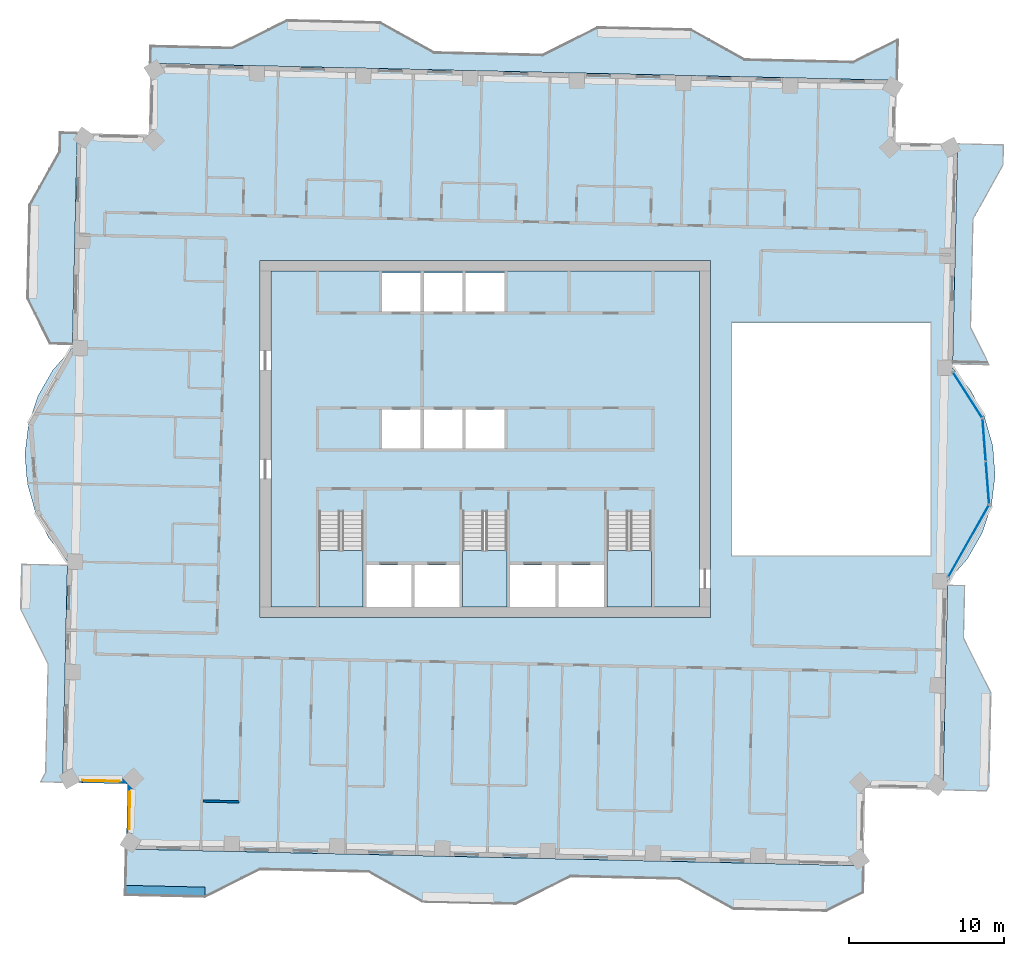
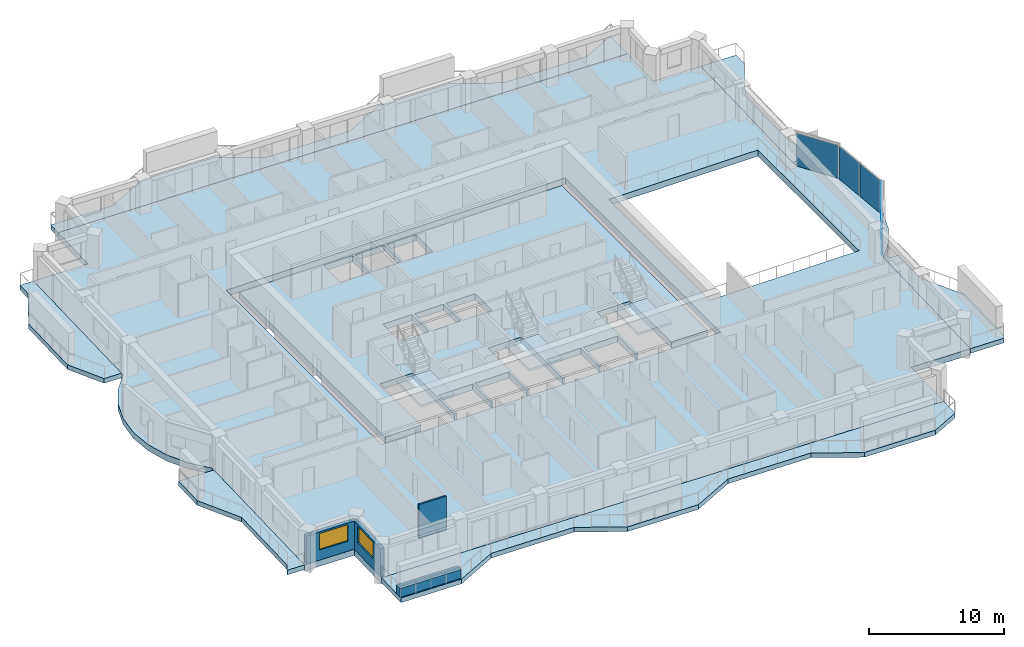
# One storey, part 5 of 17: 11 slabs, 4 plates, 4 walls, 2 windows, 2 openings, 6 elements without a shape of their own.
"""IFC4 building model written with IfcOpenShell, lengths in metres."""

from ifc_helpers import new_model, si_unit, direction, frame, frame_2d, origin, origin_2d, place, context, subcontext, project, spatial, polyline, rectangle, outline, extrude, material, layer, layer_set, type_object, element, fill, aggregate, save


model = new_model("IFC4")

# Units and contexts
model_context = context("Model", 3, precision=1e-05, world=origin(), true_north=direction((0.0, 1.0)))
body_context = subcontext(model_context, "Body", "Model", "MODEL_VIEW")
ifc_project = project(units=[si_unit("LENGTHUNIT", "METRE"), si_unit("AREAUNIT", "SQUARE_METRE"), si_unit("VOLUMEUNIT", "CUBIC_METRE"), si_unit("PLANEANGLEUNIT", "RADIAN"), si_unit("MASSUNIT", "GRAM", prefix="KILO")], contexts=[model_context])

# Site, building, storey
site_placement = place(None, origin())
site = spatial("IfcSite", under=ifc_project, at=site_placement, CompositionType="ELEMENT")
building_placement = place(site_placement, origin())
building = spatial("IfcBuilding", under=site, at=building_placement, Name="Mangrove Gate Tower", CompositionType="ELEMENT")
storey_placement = place(building_placement, frame((0.0, 0.0, 268.10009765625)))
storey = spatial("IfcBuildingStorey", under=building, at=storey_placement, Name="L68", CompositionType="ELEMENT", Elevation=268.10009765625)

# Curtain wall, plate
ifc_material_1 = material(Name="Aluminium and glass curtain wall", Category="aluminium")
curtain_wall_type = type_object("IfcCurtainWallType", Name="Atrium garden-court glazing wall", PredefinedType="NOTDEFINED", material=ifc_material_1)
curtain_wall_1_placement = place(storey_placement, origin())
curtain_wall_1 = element("IfcCurtainWall", 1, at=curtain_wall_1_placement, inside=storey, type_object=curtain_wall_type, Name="Atrium garden-court glazing E1f1", PredefinedType="NOTDEFINED")
ifc_material_2 = material(Name="Laminated low-e glass", Category="glass")
ifc_layer_1 = layer(ifc_material_2, 0.031982421875)
ifc_layer_set_1 = layer_set([ifc_layer_1], Name="Atrium garden-court glazing panel 32")
plate_type = type_object("IfcPlateType", Name="Atrium garden-court glazing panel 32", PredefinedType="CURTAIN_PANEL", material=ifc_layer_set_1)
plate_1_placement = place(storey_placement, frame((31.117919921875, -6.572509765625, 0.0), z_axis=(0.0, 0.0, 1.0), x_axis=(0.492567972087, 0.870273975754, 0.0)))
plate_1 = element("IfcPlate", 2, at=plate_1_placement, type_object=plate_type, Name="CWA panel 1.1", PredefinedType="CURTAIN_PANEL", context=body_context, shape_type="SweptSolid", body=[
    extrude(rectangle(XDim=5.257568359375, YDim=0.031982421875, at=origin_2d()), origin(), (0.0, 0.0, 1.0), 2.97998046875),
])
aggregate(curtain_wall_1, [plate_1])

# Curtain wall, plates
curtain_wall_2_placement = place(storey_placement, origin())
curtain_wall_2 = element("IfcCurtainWall", 3, at=curtain_wall_2_placement, inside=storey, type_object=curtain_wall_type, Name="Atrium garden-court glazing E1f2", PredefinedType="NOTDEFINED")
plate_2_placement = place(storey_placement, frame((32.338623046875, -2.817138671875, 0.0), z_axis=(0.0, 0.0, 1.0), x_axis=(-0.077023348403, 0.997029289339, 0.0)))
plate_2 = element("IfcPlate", 4, at=plate_2_placement, type_object=plate_type, Name="CWA panel 1.1", PredefinedType="CURTAIN_PANEL", context=body_context, shape_type="SweptSolid", body=[
    extrude(rectangle(XDim=2.681640625, YDim=0.031982421875, at=origin_2d()), origin(), (0.0, 0.0, 1.0), 2.97998046875),
])
plate_3_placement = place(storey_placement, frame((32.126708984375, -0.07373046875, 0.0), z_axis=(0.0, 0.0, 1.0), x_axis=(-0.077023348403, 0.997029289339, 0.0)))
plate_3 = element("IfcPlate", 5, at=plate_3_placement, type_object=plate_type, Name="CWA panel 2.1", PredefinedType="CURTAIN_PANEL", context=body_context, shape_type="SweptSolid", body=[
    extrude(rectangle(XDim=2.681640625, YDim=0.031982421875, at=origin_2d()), origin(), (0.0, 0.0, 1.0), 2.97998046875),
])
aggregate(curtain_wall_2, [plate_2, plate_3])

# Curtain wall, plate
curtain_wall_3_placement = place(storey_placement, origin())
curtain_wall_3 = element("IfcCurtainWall", 6, at=curtain_wall_3_placement, inside=storey, type_object=curtain_wall_type, Name="Atrium garden-court glazing E1f3", PredefinedType="NOTDEFINED")
plate_4_placement = place(storey_placement, frame((31.0537109375, 2.833984375, 0.0), z_axis=(0.0, 0.0, 1.0), x_axis=(-0.540498107045, 0.841345230141, 0.0)))
plate_4 = element("IfcPlate", 7, at=plate_4_placement, type_object=plate_type, Name="CWA panel 1.1", PredefinedType="CURTAIN_PANEL", context=body_context, shape_type="SweptSolid", body=[
    extrude(rectangle(XDim=3.427978515625, YDim=0.031982421875, at=origin_2d()), origin(), (0.0, 0.0, 1.0), 2.97998046875),
])
aggregate(curtain_wall_3, [plate_4])

# Slabs
ifc_material_3 = material(Name="Porcelain tile")
ifc_layer_2 = layer(ifc_material_3, 0.02001953125, Name="Tile finish")
ifc_material_4 = material(Name="Cement sand screed")
ifc_layer_3 = layer(ifc_material_4, 0.0400390625, Name="Screed laid to falls")
ifc_material_5 = material(Name="Bituminous waterproofing membrane")
ifc_layer_4 = layer(ifc_material_5, 0.00390625, Name="Waterproofing")
ifc_material_6 = material(Name="Concrete C40/50", Category="concrete")
ifc_layer_5 = layer(ifc_material_6, 0.340087890625, Name="Balcony structural slab")
ifc_material_7 = material(Name="Limestone", Category="masonry")
ifc_layer_6 = layer(ifc_material_7, 0.01611328125, Name="Soffit lining")
ifc_layer_set_2 = layer_set([ifc_layer_2, ifc_layer_3, ifc_layer_4, ifc_layer_5, ifc_layer_6], Name="Balcony slab 420 C40/50")
slab_type_1 = type_object("IfcSlabType", Name="Balcony slab 420 C40/50", PredefinedType="FLOOR", material=ifc_layer_set_2)
slab_1_placement = place(storey_placement, frame((0.0, 0.0, -0.420166015625)))
element("IfcSlab", 8, at=slab_1_placement, inside=storey, type_object=slab_type_1, Name="BALCONY L68 E0", PredefinedType="FLOOR", context=body_context, shape_type="SweptSolid", body=[
    extrude(outline(polyline([(32.299072265625, -22.652099609375), (32.464111328125, -22.35595703125), (32.60009765625, -16.35693359375), (30.830078125, -12.81591796875), (30.906982421875, -9.44189453125), (29.76708984375, -9.416015625), (29.68994140625, -12.7900390625), (29.611083984375, -16.2890625), (29.47509765625, -22.2880859375), (29.468017578125, -22.587890625), (32.299072265625, -22.652099609375)])), origin(), (0.0, 0.0, 1.0), 0.420166015625),
])
slab_2_placement = place(storey_placement, frame((0.0, 0.0, -0.420166015625)))
element("IfcSlab", 9, at=slab_2_placement, inside=storey, type_object=slab_type_1, Name="BALCONY L68 E1", PredefinedType="FLOOR", context=body_context, shape_type="SweptSolid", body=[
    extrude(outline(polyline([(32.485107421875, 4.77587890625), (31.283935546875, 7.178955078125), (31.443115234375, 14.177001953125), (33.3720703125, 17.634033203125), (33.40087890625, 18.93408203125), (30.412109375, 19.001953125), (30.382080078125, 17.701904296875), (30.302978515625, 14.202880859375), (30.14404296875, 7.205078125), (30.090087890625, 4.8310546875), (32.485107421875, 4.77587890625)])), origin(), (0.0, 0.0, 1.0), 0.420166015625),
])
slab_3_placement = place(storey_placement, frame((0.0, 0.0, -0.420166015625)))
element("IfcSlab", 10, at=slab_3_placement, inside=storey, type_object=slab_type_1, Name="BALCONY L68 N0", PredefinedType="FLOOR", context=body_context, shape_type="SweptSolid", body=[
    extrude(outline(polyline([(26.56396484375, 25.72998046875), (23.694091796875, 24.294921875), (16.696044921875, 24.4541015625), (13.239013671875, 26.383056640625), (7.240966796875, 26.51904296875), (3.698974609375, 24.7490234375), (-3.299072265625, 24.907958984375), (-6.756103515625, 26.8369140625), (-12.75390625, 26.972900390625), (-16.294921875, 25.2041015625), (-21.530029296875, 25.322021484375), (-21.555908203125, 24.181884765625), (26.50390625, 23.091064453125), (26.56396484375, 25.72998046875)])), origin(), (0.0, 0.0, 1.0), 0.420166015625),
])
slab_4_placement = place(storey_placement, frame((0.0, 0.0, -0.420166015625)))
element("IfcSlab", 11, at=slab_4_placement, inside=storey, type_object=slab_type_1, Name="BALCONY L68 W0", PredefinedType="FLOOR", context=body_context, shape_type="SweptSolid", body=[
    extrude(outline(polyline([(-27.39892578125, 19.712890625), (-27.426025390625, 18.513916015625), (-29.35498046875, 15.056884765625), (-29.490966796875, 9.05810546875), (-28.037109375, 6.14990234375), (-26.56689453125, 6.115966796875), (-26.501953125, 8.989990234375), (-26.365966796875, 14.989013671875), (-26.285888671875, 18.488037109375), (-26.259033203125, 19.68798828125), (-27.39892578125, 19.712890625)])), origin(), (0.0, 0.0, 1.0), 0.420166015625),
])
slab_5_placement = place(storey_placement, frame((0.0, 0.0, -0.420166015625)))
element("IfcSlab", 12, at=slab_5_placement, inside=storey, type_object=slab_type_1, Name="BALCONY L68 W1", PredefinedType="FLOOR", context=body_context, shape_type="SweptSolid", body=[
    extrude(outline(polyline([(-29.8798828125, -8.06298828125), (-29.945068359375, -10.93701171875), (-28.175048828125, -14.47802734375), (-28.333984375, -21.47607421875), (-28.6640625, -22.069091796875), (-27.20703125, -22.10205078125), (-27.194091796875, -21.501953125), (-27.034912109375, -14.50390625), (-26.9560546875, -11.0048828125), (-26.889892578125, -8.131103515625), (-29.8798828125, -8.06298828125)])), origin(), (0.0, 0.0, 1.0), 0.420166015625),
])
slab_6_placement = place(storey_placement, frame((0.0, 0.0, -0.420166015625)))
element("IfcSlab", 13, at=slab_6_placement, inside=storey, type_object=slab_type_1, Name="BALCONY L68 S0", PredefinedType="FLOOR", context=body_context, shape_type="SweptSolid", body=[
    extrude(outline(polyline([(-23.172119140625, -29.385009765625), (-18.037109375, -29.501953125), (-14.49609375, -27.73193359375), (-7.498046875, -27.889892578125), (-4.041015625, -29.819091796875), (0.55810546875, -29.924072265625), (1.9580078125, -29.955078125), (5.4990234375, -28.18603515625), (12.4970703125, -28.343994140625), (15.9541015625, -30.27294921875), (21.952880859375, -30.408935546875), (24.31591796875, -29.22802734375), (24.35595703125, -27.472900390625), (-23.10400390625, -26.39599609375), (-23.172119140625, -29.385009765625)])), origin(), (0.0, 0.0, 1.0), 0.420166015625),
])
ifc_material_8 = material(Name="Concrete C40/50", Category="concrete")
ifc_layer_7 = layer(ifc_material_8, 0.550048828125)
ifc_layer_set_3 = layer_set([ifc_layer_7], Name="Core floor slab 550 C40/50")
slab_type_2 = type_object("IfcSlabType", Name="Core floor slab 550 C40/50", PredefinedType="FLOOR", material=ifc_layer_set_3)
slab_7_placement = place(storey_placement, frame((0.0, 0.0, -0.550048828125)))
element("IfcSlab", 14, at=slab_7_placement, inside=storey, type_object=slab_type_2, Name="SLAB-L68-CORE-1", PredefinedType="FLOOR", context=body_context, shape_type="SweptSolid", body=[
    extrude(outline(polyline([(-13.800048828125, -10.800048828125), (-13.800048828125, 10.800048828125), (13.800048828125, 10.800048828125), (13.800048828125, -10.800048828125), (10.699951171875, -10.800048828125), (10.699951171875, -4.653076171875), (7.85009765625, -4.653076171875), (7.85009765625, -10.800048828125), (7.64990234375, -10.800048828125), (7.64990234375, -8.10009765625), (4.72509765625, -8.10009765625), (4.72509765625, -10.800048828125), (4.52490234375, -10.800048828125), (4.52490234375, -8.10009765625), (1.60009765625, -8.10009765625), (1.60009765625, -10.800048828125), (1.39990234375, -10.800048828125), (1.39990234375, -4.653076171875), (-1.449951171875, -4.653076171875), (-1.449951171875, -10.800048828125), (-1.64990234375, -10.800048828125), (-1.64990234375, -8.10009765625), (-4.550048828125, -8.10009765625), (-4.550048828125, -10.800048828125), (-4.75, -10.800048828125), (-4.75, -8.10009765625), (-7.64990234375, -8.10009765625), (-7.64990234375, -10.800048828125), (-7.85009765625, -10.800048828125), (-7.85009765625, -4.653076171875), (-10.699951171875, -4.653076171875), (-10.699951171875, -10.800048828125), (-13.800048828125, -10.800048828125)]), holes=[polyline([(-4.14990234375, 1.89990234375), (-6.64990234375, 1.89990234375), (-6.64990234375, -0.60009765625), (-4.14990234375, -0.60009765625), (-4.14990234375, 1.89990234375)]), polyline([(-1.449951171875, -0.60009765625), (-1.449951171875, 1.89990234375), (-3.949951171875, 1.89990234375), (-3.949951171875, -0.60009765625), (-1.449951171875, -0.60009765625)]), polyline([(-4.14990234375, 8.199951171875), (-4.14990234375, 10.699951171875), (-6.64990234375, 10.699951171875), (-6.64990234375, 8.199951171875), (-4.14990234375, 8.199951171875)]), polyline([(-1.449951171875, 10.699951171875), (-3.949951171875, 10.699951171875), (-3.949951171875, 8.199951171875), (-1.449951171875, 8.199951171875), (-1.449951171875, 10.699951171875)]), polyline([(1.25, -0.60009765625), (1.25, 1.89990234375), (-1.25, 1.89990234375), (-1.25, -0.60009765625), (1.25, -0.60009765625)]), polyline([(1.25, 8.199951171875), (1.25, 10.699951171875), (-1.25, 10.699951171875), (-1.25, 8.199951171875), (1.25, 8.199951171875)])]), origin(), (0.0, 0.0, 1.0), 0.550048828125),
])

# Stair, slab
ifc_material_9 = material(Name="Concrete C40/50", Category="concrete")
stair_type = type_object("IfcStairType", Name="Core stair 1350", PredefinedType="HALF_TURN_STAIR", material=ifc_material_9)
stair_1_placement = place(storey_placement, origin())
stair_1 = element("IfcStair", 15, at=stair_1_placement, inside=storey, type_object=stair_type, Name="L68 Stair 1", PredefinedType="HALF_TURN_STAIR")
ifc_material_10 = material(Name="Concrete C40/50", Category="concrete")
ifc_layer_8 = layer(ifc_material_10, 0.199951171875)
ifc_layer_set_4 = layer_set([ifc_layer_8], Name="Core stair landing 200")
slab_type_3 = type_object("IfcSlabType", Name="Core stair landing 200", PredefinedType="LANDING", material=ifc_layer_set_4)
slab_8_placement = place(storey_placement, frame((0.0, 0.0, 1.599853515625)))
slab_8 = element("IfcSlab", 16, at=slab_8_placement, type_object=slab_type_3, Name="ST1 landing 1", PredefinedType="LANDING", context=body_context, shape_type="SweptSolid", body=[
    extrude(outline(polyline([(-10.699951171875, -7.169921875), (-10.699951171875, -10.800048828125), (-7.85009765625, -10.800048828125), (-7.85009765625, -7.169921875), (-10.699951171875, -7.169921875)])), origin(), (0.0, 0.0, 1.0), 0.199951171875),
])
aggregate(stair_1, [slab_8])

stair_2_placement = place(storey_placement, origin())
stair_2 = element("IfcStair", 17, at=stair_2_placement, inside=storey, type_object=stair_type, Name="L68 Stair 2", PredefinedType="HALF_TURN_STAIR")
slab_9_placement = place(storey_placement, frame((0.0, 0.0, 1.599853515625)))
slab_9 = element("IfcSlab", 18, at=slab_9_placement, type_object=slab_type_3, Name="ST2 landing 1", PredefinedType="LANDING", context=body_context, shape_type="SweptSolid", body=[
    extrude(outline(polyline([(-1.449951171875, -7.169921875), (-1.449951171875, -10.800048828125), (1.39990234375, -10.800048828125), (1.39990234375, -7.169921875), (-1.449951171875, -7.169921875)])), origin(), (0.0, 0.0, 1.0), 0.199951171875),
])
aggregate(stair_2, [slab_9])

stair_3_placement = place(storey_placement, origin())
stair_3 = element("IfcStair", 19, at=stair_3_placement, inside=storey, type_object=stair_type, Name="L68 Stair 3", PredefinedType="HALF_TURN_STAIR")
slab_10_placement = place(storey_placement, frame((0.0, 0.0, 1.599853515625)))
slab_10 = element("IfcSlab", 20, at=slab_10_placement, type_object=slab_type_3, Name="ST3 landing 1", PredefinedType="LANDING", context=body_context, shape_type="SweptSolid", body=[
    extrude(outline(polyline([(7.85009765625, -7.169921875), (7.85009765625, -10.800048828125), (10.699951171875, -10.800048828125), (10.699951171875, -7.169921875), (7.85009765625, -7.169921875)])), origin(), (0.0, 0.0, 1.0), 0.199951171875),
])
aggregate(stair_3, [slab_10])

# Slab
ifc_material_11 = material(Name="Concrete C40/50", Category="concrete")
ifc_layer_9 = layer(ifc_material_11, 0.550048828125)
ifc_layer_set_5 = layer_set([ifc_layer_9], Name="Floor slab 550 C40/50")
slab_type_4 = type_object("IfcSlabType", Name="Floor slab 550 C40/50", PredefinedType="FLOOR", material=ifc_layer_set_5)
slab_11_placement = place(storey_placement, frame((0.0, 0.0, -0.550048828125)))
element("IfcSlab", 21, at=slab_11_placement, inside=storey, type_object=slab_type_4, Name="Floor slab L68", PredefinedType="FLOOR", context=body_context, shape_type="SweptSolid", body=[
    extrude(outline(polyline([(-23.103759765625, -26.39599609375), (24.35595703125, -27.472900390625), (24.469482421875, -22.47412109375), (29.46826171875, -22.587646484375), (29.772705078125, -9.16650390625), (31.03564453125, -7.72998046875), (31.98876953125, -6.071533203125), (32.59423828125, -4.257080078125), (32.827880859375, -2.358642578125), (32.6806640625, -0.45166015625), (32.158203125, 1.388427734375), (31.28125, 3.08837890625), (30.084716796875, 4.58056640625), (30.411865234375, 19.001708984375), (26.4130859375, 19.09228515625), (26.503662109375, 23.09130859375), (-21.555908203125, 24.181884765625), (-21.66015625, 19.583251953125), (-26.259033203125, 19.6875), (-26.57275390625, 5.866455078125), (-27.835693359375, 4.429931640625), (-28.788818359375, 2.771484375), (-29.394287109375, 0.95703125), (-29.6279296875, -0.94140625), (-29.480712890625, -2.848388671875), (-28.958251953125, -4.6884765625), (-28.081298828125, -6.388427734375), (-26.884765625, -7.880615234375), (-27.20751953125, -22.101806640625), (-23.008544921875, -22.197021484375), (-23.103759765625, -26.39599609375)]), holes=[polyline([(15.89990234375, 7.5), (28.658935546875, 7.5), (28.658935546875, -7.5), (15.89990234375, -7.5), (15.89990234375, 7.5)]), polyline([(-14.5, -11.5), (-14.5, 11.5), (14.5, 11.5), (14.5, -11.5), (-14.5, -11.5)])]), origin(), (0.0, 0.0, 1.0), 0.550048828125),
])

# Wall, opening, window
ifc_layer_10 = layer(ifc_material_7, 0.0400390625, Name="Limestone cladding")
ifc_material_12 = material(Name="Ventilated air gap")
ifc_layer_11 = layer(ifc_material_12, 0.0400390625, Name="Ventilated cavity")
ifc_material_13 = material(Name="Mineral wool insulation")
ifc_layer_12 = layer(ifc_material_13, 0.06005859375, Name="Insulation")
ifc_material_14 = material(Name="Breather membrane")
ifc_layer_13 = layer(ifc_material_14, 0.001953125, Name="Breather membrane")
ifc_material_15 = material(Name="Concrete C20/25 blockwork", Category="masonry")
ifc_layer_14 = layer(ifc_material_15, 0.14990234375, Name="Blockwork backing wall")
ifc_material_16 = material(Name="Gypsum plaster")
ifc_layer_15 = layer(ifc_material_16, 0.008056640625, Name="Internal plaster")
ifc_layer_set_6 = layer_set([ifc_layer_10, ifc_layer_11, ifc_layer_12, ifc_layer_13, ifc_layer_14, ifc_layer_15], Name="External wall 300 limestone cladding")
wall_type_1 = type_object("IfcWallType", Name="External wall 300 limestone cladding", PredefinedType="SOLIDWALL", material=ifc_layer_set_6)
wall_1_placement = place(storey_placement, frame((-27.053955078125, -21.955078125, 0.0), z_axis=(0.0, 0.0, 1.0), x_axis=(0.999744320311, -0.022611811187, 0.0)))
wall_1 = element("IfcWall", 22, at=wall_1_placement, inside=storey, type_object=wall_type_1, Name="WALL-L68-S11", PredefinedType="SOLIDWALL", context=body_context, shape_type="SweptSolid", body=[
    extrude(rectangle(XDim=4.199951171875, YDim=0.300048828125, at=frame_2d((2.10009765625, 0.0))), origin(), (0.0, 0.0, 1.0), 2.5498046875),
])
opening_1_placement = place(wall_1_placement, frame((1.131103515625, 0.0, 0.89990234375)))
opening_1 = element("IfcOpeningElement", 23, at=opening_1_placement, cuts=wall_1, Name="Opening W2", PredefinedType="OPENING", context=body_context, shape_type="SweptSolid", body=[
    extrude(rectangle(XDim=2.39990234375, YDim=1.5, at=frame_2d((1.199951171875, 0.75))), frame((0.0, 0.159912109375, 0.0), z_axis=(0.0, -1.0, 0.0), x_axis=(1.0, 0.0, 0.0)), (0.0, 0.0, 1.0), 0.320068359375),
])
ifc_material_17 = material(Name="Aluminium frame with double-glazed low-e glass", Category="aluminium")
window_type = type_object("IfcWindowType", Name="Corner room window 2400x1500", PartitioningType="DOUBLE_PANEL_VERTICAL", PredefinedType="WINDOW", material=ifc_material_17)
window_1_placement = place(opening_1_placement, origin())
window_1 = element("IfcWindow", 24, at=window_1_placement, inside=storey, type_object=window_type, Name="WIN-L68-S11-1", OverallHeight=1.5, OverallWidth=2.39990234375, PartitioningType="DOUBLE_PANEL_VERTICAL", PredefinedType="WINDOW", context=body_context, shape_type="SweptSolid", body=[
    extrude(rectangle(XDim=2.39990234375, YDim=1.5, at=frame_2d((1.199951171875, 0.75))), frame((0.0, 0.030029296875, 0.0), z_axis=(0.0, -1.0, 0.0), x_axis=(1.0, 0.0, 0.0)), (0.0, 0.0, 1.0), 0.06005859375),
])
fill(opening_1, window_1)

wall_2_placement = place(storey_placement, frame((-22.85498046875, -22.050048828125, 0.0), z_axis=(0.0, 0.0, 1.0), x_axis=(-0.022611811187, -0.999744320311, 0.0)))
wall_2 = element("IfcWall", 25, at=wall_2_placement, inside=storey, type_object=wall_type_1, Name="WALL-L68-W12", PredefinedType="SOLIDWALL", context=body_context, shape_type="SweptSolid", body=[
    extrude(rectangle(XDim=4.199951171875, YDim=0.300048828125, at=frame_2d((2.10009765625, 0.0))), origin(), (0.0, 0.0, 1.0), 2.5498046875),
])
opening_2_placement = place(wall_2_placement, frame((0.669921875, 0.0, 0.89990234375)))
opening_2 = element("IfcOpeningElement", 26, at=opening_2_placement, cuts=wall_2, Name="Opening W2", PredefinedType="OPENING", context=body_context, shape_type="SweptSolid", body=[
    extrude(rectangle(XDim=2.39990234375, YDim=1.5, at=frame_2d((1.199951171875, 0.75))), frame((0.0, 0.159912109375, 0.0), z_axis=(0.0, -1.0, 0.0), x_axis=(1.0, 0.0, 0.0)), (0.0, 0.0, 1.0), 0.320068359375),
])
window_2_placement = place(opening_2_placement, origin())
window_2 = element("IfcWindow", 27, at=window_2_placement, inside=storey, type_object=window_type, Name="WIN-L68-W12-1", OverallHeight=1.5, OverallWidth=2.39990234375, PartitioningType="DOUBLE_PANEL_VERTICAL", PredefinedType="WINDOW", context=body_context, shape_type="SweptSolid", body=[
    extrude(rectangle(XDim=2.39990234375, YDim=1.5, at=frame_2d((1.199951171875, 0.75))), frame((0.0, 0.030029296875, 0.0), z_axis=(0.0, -1.0, 0.0), x_axis=(1.0, 0.0, 0.0)), (0.0, 0.0, 1.0), 0.06005859375),
])
fill(opening_2, window_2)

# Walls
ifc_material_18 = material(Name="Gypsum board on steel stud, EI 60", Category="steel")
ifc_layer_16 = layer(ifc_material_18, 0.14990234375)
ifc_layer_set_7 = layer_set([ifc_layer_16], Name="Party wall 150 EI 60")
wall_type_2 = type_object("IfcWallType", Name="Party wall 150 EI 60", PredefinedType="PARTITIONING", material=ifc_layer_set_7)
wall_3_placement = place(storey_placement, frame((-18.156982421875, -23.306884765625, 0.0), z_axis=(0.0, 0.0, 1.0), x_axis=(0.999737862264, -0.022895561926, 0.0)))
element("IfcWall", 28, at=wall_3_placement, inside=storey, type_object=wall_type_2, Name="WALL-L68-010", PredefinedType="PARTITIONING", context=body_context, shape_type="SweptSolid", body=[
    extrude(rectangle(XDim=2.324462890625, YDim=0.14990234375, at=frame_2d((1.162109375, 0.0))), origin(), (0.0, 0.0, 1.0), 3.0498046875),
])
ifc_material_19 = material(Name="Concrete C32/40", Category="concrete")
ifc_layer_17 = layer(ifc_material_19, 0.199951171875, Name="Planter trough wall")
ifc_layer_18 = layer(ifc_material_5, 0.0048828125, Name="Waterproofing")
ifc_material_20 = material(Name="Drainage board and gravel")
ifc_layer_19 = layer(ifc_material_20, 0.044921875, Name="Drainage layer")
ifc_material_21 = material(Name="Planting soil")
ifc_layer_20 = layer(ifc_material_21, 0.300048828125, Name="Growing medium")
ifc_layer_set_8 = layer_set([ifc_layer_17, ifc_layer_18, ifc_layer_19, ifc_layer_20], Name="Planter wall 550 C32/40")
wall_type_3 = type_object("IfcWallType", Name="Planter wall 550 C32/40", PredefinedType="USERDEFINED", material=ifc_layer_set_8)
wall_4_placement = place(storey_placement, frame((-23.1630859375, -29.010009765625, 0.0), z_axis=(0.0, 0.0, 1.0), x_axis=(0.999740680705, -0.022772161589, 0.0)))
element("IfcWall", 29, at=wall_4_placement, inside=storey, type_object=wall_type_3, Name="PLANTER L68 S0.1", ObjectType="PLANTER", PredefinedType="USERDEFINED", context=body_context, shape_type="SweptSolid", body=[
    extrude(rectangle(XDim=5.13525390625, YDim=0.550048828125, at=frame_2d((2.567626953125, 0.0))), origin(), (0.0, 0.0, 1.0), 0.7998046875),
])

save(model, "model.ifc")
